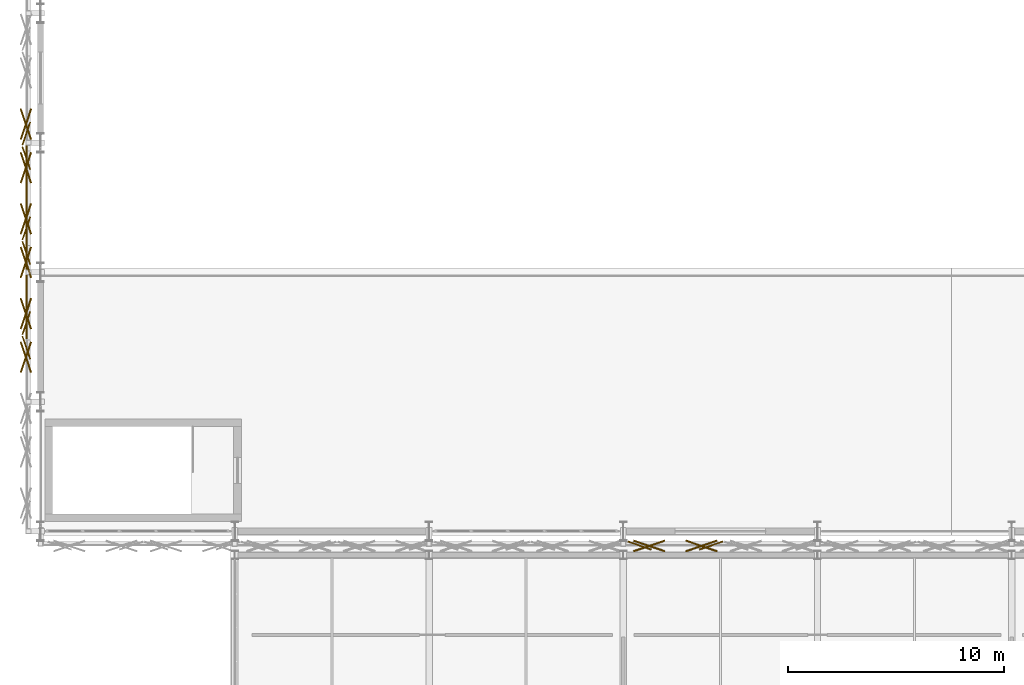
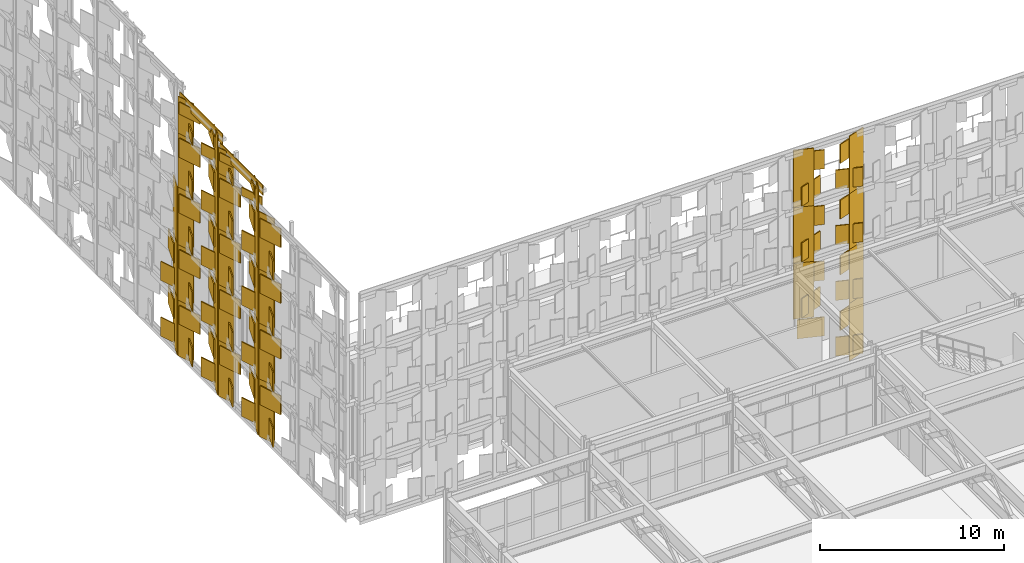
# One storey, part 179 of 210: 103 coverings.
"""IFC4 building model written with IfcOpenShell, lengths in metres."""

import ifcopenshell
import ifcopenshell.guid

model = None  # the IFC model being written
_history = None  # IfcOwnerHistory: only IFC2X3 demands one
_inside = {}  # id of a spatial element -> (the spatial element, [elements in it])
_under = {}  # id of a project, library or spatial element -> (it, [spatial elements below it])
_declared = {}  # id of a project -> (the project, [libraries it declares])
_typed = {}  # id of a type object -> (the type object, [elements of that type])
_made_of = {}  # id of a material, layer set ... -> (it, [elements and type objects made of it])


def new_model(schema):
    """Start an empty IFC model of exactly this schema.

    Asked for "IFC4X3", IfcOpenShell would pick the latest addendum, in which some entities
    have other attributes; the version numbers below select the first issue.
    IFC2X3 requires an IfcOwnerHistory on every rooted entity: one is made here for all.
    """
    global model, _history
    if schema == "IFC4X3":
        model = ifcopenshell.file(schema_version=(4, 3, 0, 0))
    else:
        model = ifcopenshell.file(schema=schema)
    _inside.clear()
    _under.clear()
    _declared.clear()
    _typed.clear()
    _made_of.clear()
    _history = None
    if model.schema == "IFC2X3":
        org = make("IfcOrganization", Name="unknown")
        user = make(
            "IfcPersonAndOrganization",
            ThePerson=make("IfcPerson", FamilyName="unknown"),
            TheOrganization=org,
        )
        app = make(
            "IfcApplication",
            ApplicationDeveloper=org,
            Version="unknown",
            ApplicationFullName="unknown",
            ApplicationIdentifier="unknown",
        )
        _history = make(
            "IfcOwnerHistory",
            OwningUser=user,
            OwningApplication=app,
            ChangeAction="ADDED",
            CreationDate=0,
        )
    return model


def make(cls, **values):
    """One entity of the class cls with the attributes given. An attribute that is None is left unset."""
    return model.create_entity(
        cls, **{name: value for name, value in values.items() if value is not None}
    )


def rooted(cls, **values):
    """An entity with a GlobalId (a new one), such as an element, a storey or a relation."""
    return make(cls, GlobalId=ifcopenshell.guid.new(), OwnerHistory=_history, **values)


def si_unit(unit_type, name, prefix=None):
    """IfcSIUnit, for example si_unit("LENGTHUNIT", "METRE", prefix="MILLI")."""
    return make("IfcSIUnit", UnitType=unit_type, Prefix=prefix, Name=name)


def assignment(units):
    """IfcUnitAssignment: the units of a project."""
    return None if units is None else make("IfcUnitAssignment", Units=units)


def point(xyz):
    """IfcCartesianPoint."""
    return None if xyz is None else make("IfcCartesianPoint", Coordinates=xyz)


def direction(xyz):
    """IfcDirection."""
    return None if xyz is None else make("IfcDirection", DirectionRatios=xyz)


def frame(location, z_axis=None, x_axis=None):
    """IfcAxis2Placement3D, a coordinate frame: its origin and axes. An axis left out is left unset."""
    return make(
        "IfcAxis2Placement3D",
        Location=point(location),
        Axis=direction(z_axis),
        RefDirection=direction(x_axis),
    )


def frame_2d(location, x_axis=None):
    """IfcAxis2Placement2D, a coordinate frame in the plane: its origin and x axis."""
    return make(
        "IfcAxis2Placement2D", Location=point(location), RefDirection=direction(x_axis)
    )


def origin():
    """The frame at (0, 0, 0) with its axes left unset."""
    return frame((0.0, 0.0, 0.0))


def origin_2d():
    """The frame at (0, 0) in the plane with its x axis left unset."""
    return frame_2d((0.0, 0.0))


def place(relative_to, where):
    """IfcLocalPlacement: puts the frame where relative to a parent placement (None: the world)."""
    return make(
        "IfcLocalPlacement", PlacementRelTo=relative_to, RelativePlacement=where
    )


def context(
    kind, dimensions, precision=None, world=None, true_north=None, identifier=None
):
    """IfcGeometricRepresentationContext, for example the 3D "Model" context."""
    return make(
        "IfcGeometricRepresentationContext",
        ContextIdentifier=identifier,
        ContextType=kind,
        CoordinateSpaceDimension=dimensions,
        Precision=precision,
        WorldCoordinateSystem=world,
        TrueNorth=true_north,
    )


def subcontext(parent, identifier, kind, view, scale=None):
    """IfcGeometricRepresentationSubContext, for example "Body" below "Model"."""
    return make(
        "IfcGeometricRepresentationSubContext",
        ContextIdentifier=identifier,
        ContextType=kind,
        ParentContext=parent,
        TargetScale=scale,
        TargetView=view,
    )


def project(units=None, contexts=None):
    """IfcProject with its units and contexts."""
    return rooted(
        "IfcProject",
        Name="project",
        RepresentationContexts=contexts,
        UnitsInContext=assignment(units),
    )


def spatial(cls, under=None, at=None, **own):
    """A site, building, storey or space (cls), placed at a placement, below another one or the project."""
    s = rooted(cls, ObjectPlacement=at, **own)
    if under is not None:
        _under.setdefault(under.id(), (under, []))[1].append(s)
    return s


def profile(cls, at=None, kind="AREA", **sizes):
    """A parametric profile (cls). Its sizes go by their IFC names, for example OverallWidth=200.0."""
    return make(cls, ProfileType=kind, Position=at, **sizes)


def rectangle(**sizes):
    """IfcRectangleProfileDef."""
    return profile("IfcRectangleProfileDef", **sizes)


def extrude(swept, where, along, depth):
    """IfcExtrudedAreaSolid: the profile swept, set in the frame where, extruded along a direction by depth."""
    return make(
        "IfcExtrudedAreaSolid",
        SweptArea=swept,
        Position=where,
        ExtrudedDirection=direction(along),
        Depth=depth,
    )


def shape(context_of_items, identifier, shape_type, items):
    """IfcShapeRepresentation: the items that make up one representation, for example the "Body"."""
    return make(
        "IfcShapeRepresentation",
        ContextOfItems=context_of_items,
        RepresentationIdentifier=identifier,
        RepresentationType=shape_type,
        Items=items,
    )


def material(Name=None, Category=None):
    """IfcMaterial."""
    return make("IfcMaterial", Name=Name, Category=Category)


def layer(
    of_material, thickness, ventilated=None, Name=None, Category=None, Priority=None
):
    """IfcMaterialLayer: one layer of a wall or slab, of a material (None: an air gap)."""
    return make(
        "IfcMaterialLayer",
        Material=of_material,
        LayerThickness=thickness,
        IsVentilated=ventilated,
        Name=Name,
        Category=Category,
        Priority=Priority,
    )


def layer_set(layers, Name=None):
    """IfcMaterialLayerSet."""
    return make("IfcMaterialLayerSet", MaterialLayers=layers, LayerSetName=Name)


def made_of(thing, what):
    """Note that an element or type object is made of a material, layer set ...; save() writes the relation."""
    if what is not None:
        _made_of.setdefault(what.id(), (what, []))[1].append(thing)
    return thing


def type_object(cls, material=None, **own):
    """A type object (cls), such as IfcWallType, which elements share."""
    return made_of(rooted(cls, **own), material)


def element(
    cls,
    number,
    at=None,
    inside=None,
    cuts=None,
    type_object=None,
    material=None,
    context=None,
    identifier="Body",
    shape_type=None,
    held_by="IfcProductDefinitionShape",
    body=None,
    shapes=None,
    **own,
):
    """One element of the class cls, such as IfcWall. Its Tag is "e" and its number.

    at: its placement. inside: the storey or other place that contains it. cuts: it is an
    opening in that element (IfcRelVoidsElement). A single representation is given by context,
    identifier, shape_type and body (its items); several are given by shapes. held_by: the class
    of the entity that holds the representations. save() writes the other relations.
    """
    e = rooted(cls, Tag="e%d" % number, ObjectPlacement=at, **own)
    if body is not None:
        shapes = [shape(context, identifier, shape_type, body)]
    if shapes is not None:
        e.Representation = make(held_by, Representations=shapes)
    if inside is not None:
        _inside.setdefault(inside.id(), (inside, []))[1].append(e)
    if cuts is not None:
        rooted(
            "IfcRelVoidsElement", RelatingBuildingElement=cuts, RelatedOpeningElement=e
        )
    if type_object is not None:
        _typed.setdefault(type_object.id(), (type_object, []))[1].append(e)
    return made_of(e, material)


def aggregate(whole, parts):
    """IfcRelAggregates: a whole, such as a stair, and the parts it consists of."""
    return rooted("IfcRelAggregates", RelatingObject=whole, RelatedObjects=parts)


def save(model, path):
    """Write the relations noted so far, then the file.

    IfcRelAggregates (storeys below a building ...), IfcRelContainedInSpatialStructure (elements
    in a storey), IfcRelDefinesByType, IfcRelAssociatesMaterial and IfcRelDeclares: one each for
    every whole, place, type object, material and project.
    """
    for whole, parts in _under.values():
        aggregate(whole, parts)
    for where, things in _inside.values():
        rooted(
            "IfcRelContainedInSpatialStructure",
            RelatedElements=things,
            RelatingStructure=where,
        )
    for kind, things in _typed.values():
        rooted("IfcRelDefinesByType", RelatedObjects=things, RelatingType=kind)
    for what, things in _made_of.values():
        rooted("IfcRelAssociatesMaterial", RelatedObjects=things, RelatingMaterial=what)
    for by, libraries in _declared.values():
        rooted("IfcRelDeclares", RelatingContext=by, RelatedDefinitions=libraries)
    model.write(path)


model = new_model("IFC4")

# Units and contexts
model_context = context("Model", 3, precision=1e-05, world=origin(), true_north=direction((0.0, 1.0)))
body_context = subcontext(model_context, "Body", "Model", "MODEL_VIEW")
ifc_project = project(units=[si_unit("LENGTHUNIT", "METRE"), si_unit("AREAUNIT", "SQUARE_METRE"), si_unit("VOLUMEUNIT", "CUBIC_METRE"), si_unit("PLANEANGLEUNIT", "RADIAN"), si_unit("MASSUNIT", "GRAM", prefix="KILO")], contexts=[model_context])

# Site, building, storey
site_placement = place(None, origin())
site = spatial("IfcSite", under=ifc_project, at=site_placement, CompositionType="ELEMENT")
building_placement = place(site_placement, origin())
building = spatial("IfcBuilding", under=site, at=building_placement, Name="Kaldris Quays Convention Centre", CompositionType="ELEMENT")
storey_placement = place(building_placement, frame((0.0, 0.0, 6.0)))
storey = spatial("IfcBuildingStorey", under=building, at=storey_placement, Name="L01", CompositionType="ELEMENT", Elevation=6.0)

# Coverings
ifc_material = material(Name="Alabaster white star-pierced anodized aluminium panel", Category="aluminium")
ifc_layer = layer(ifc_material, 0.044921875)
ifc_layer_set = layer_set([ifc_layer], Name="Alabaster white star-pierced anodized aluminium panel")
covering_type = type_object("IfcCoveringType", Name="STAR PIERCED WHITE FOLDED SCREEN CL01", PredefinedType="CLADDING", material=ifc_layer_set)
covering_1_placement = place(storey_placement, frame((19.340087890625, 64.50830078125, -2.2099609375), z_axis=(0.0, 0.0, 1.0), x_axis=(-0.325568154457, 0.945518575599, 0.0)))
element("IfcCovering", 1, at=covering_1_placement, inside=storey, type_object=covering_type, Name="V1W Folded White Screen Stile 31", PredefinedType="CLADDING", context=body_context, shape_type="SweptSolid", body=[
    extrude(rectangle(XDim=1.114013671875, YDim=0.054931640625, at=origin_2d()), origin(), (0.0, 0.0, 1.0), 3.820068359375),
])
for number, where, z_axis, x_axis, name in (
    (2, (19.320068359375, 64.0693359375, -1.92822265625), (0.0, 0.0, 1.0), (0.325568154457, 0.945518575599, 0.0), "V1W Carved Star Corner Facet 34"),
    (3, (19.320068359375, 64.0693359375, 0.06982421875), (0.0, 0.0, 1.0), (-0.325568154457, 0.945518575599, 0.0), "V1W Carved Star Corner Facet 35"),
):
    element("IfcCovering", number, at=place(storey_placement, frame(where, z_axis=z_axis, x_axis=x_axis)), inside=storey, type_object=covering_type, Name=name, PredefinedType="CLADDING", context=body_context, shape_type="SweptSolid", body=[
        extrude(rectangle(XDim=1.491943359375, YDim=0.06494140625, at=origin_2d()), origin(), (0.0, 0.0, 1.0), 1.258056640625),
    ])
covering_2_placement = place(storey_placement, frame((19.340087890625, 64.50830078125, 1.48974609375), z_axis=(0.0, 0.0, 1.0), x_axis=(-0.325568154457, 0.945518575599, 0.0)))
element("IfcCovering", 4, at=covering_2_placement, inside=storey, type_object=covering_type, Name="V1W Folded White Screen Stile 37", PredefinedType="CLADDING", context=body_context, shape_type="SweptSolid", body=[
    extrude(rectangle(XDim=1.114013671875, YDim=0.054931640625, at=origin_2d()), origin(), (0.0, 0.0, 1.0), 3.820068359375),
])
for number, where, z_axis, x_axis, name in (
    (5, (19.320068359375, 64.0693359375, 1.77197265625), (0.0, 0.0, 1.0), (0.325568154457, 0.945518575599, 0.0), "V1W Carved Star Corner Facet 40"),
    (6, (19.320068359375, 64.0693359375, 3.77001953125), (0.0, 0.0, 1.0), (-0.325568154457, 0.945518575599, 0.0), "V1W Carved Star Corner Facet 41"),
):
    element("IfcCovering", number, at=place(storey_placement, frame(where, z_axis=z_axis, x_axis=x_axis)), inside=storey, type_object=covering_type, Name=name, PredefinedType="CLADDING", context=body_context, shape_type="SweptSolid", body=[
        extrude(rectangle(XDim=1.491943359375, YDim=0.06494140625, at=origin_2d()), origin(), (0.0, 0.0, 1.0), 1.258056640625),
    ])
covering_3_placement = place(storey_placement, frame((19.340087890625, 64.50830078125, 5.18994140625), z_axis=(0.0, 0.0, 1.0), x_axis=(-0.325568154457, 0.945518575599, 0.0)))
element("IfcCovering", 7, at=covering_3_placement, inside=storey, type_object=covering_type, Name="V1W Folded White Screen Stile 43", PredefinedType="CLADDING", context=body_context, shape_type="SweptSolid", body=[
    extrude(rectangle(XDim=1.114013671875, YDim=0.054931640625, at=origin_2d()), origin(), (0.0, 0.0, 1.0), 3.820068359375),
])
for number, where, z_axis, x_axis, name in (
    (8, (19.320068359375, 64.0693359375, 5.47216796875), (0.0, 0.0, 1.0), (0.325568154457, 0.945518575599, 0.0), "V1W Carved Star Corner Facet 46"),
    (9, (19.320068359375, 64.0693359375, 7.47021484375), (0.0, 0.0, 1.0), (-0.325568154457, 0.945518575599, 0.0), "V1W Carved Star Corner Facet 47"),
):
    element("IfcCovering", number, at=place(storey_placement, frame(where, z_axis=z_axis, x_axis=x_axis)), inside=storey, type_object=covering_type, Name=name, PredefinedType="CLADDING", context=body_context, shape_type="SweptSolid", body=[
        extrude(rectangle(XDim=1.491943359375, YDim=0.06494140625, at=origin_2d()), origin(), (0.0, 0.0, 1.0), 1.258056640625),
    ])
covering_4_placement = place(storey_placement, frame((19.340087890625, 64.50830078125, 8.89013671875), z_axis=(0.0, 0.0, 1.0), x_axis=(-0.325568154457, 0.945518575599, 0.0)))
element("IfcCovering", 10, at=covering_4_placement, inside=storey, type_object=covering_type, Name="V1W Folded White Screen Stile 49", PredefinedType="CLADDING", context=body_context, shape_type="SweptSolid", body=[
    extrude(rectangle(XDim=1.114013671875, YDim=0.054931640625, at=origin_2d()), origin(), (0.0, 0.0, 1.0), 3.820068359375),
])
for number, where, z_axis, x_axis, name in (
    (11, (19.320068359375, 64.0693359375, 9.171875), (0.0, 0.0, 1.0), (0.325568154457, 0.945518575599, 0.0), "V1W Carved Star Corner Facet 52"),
    (12, (19.320068359375, 64.0693359375, 11.169921875), (0.0, 0.0, 1.0), (-0.325568154457, 0.945518575599, 0.0), "V1W Carved Star Corner Facet 53"),
):
    element("IfcCovering", number, at=place(storey_placement, frame(where, z_axis=z_axis, x_axis=x_axis)), inside=storey, type_object=covering_type, Name=name, PredefinedType="CLADDING", context=body_context, shape_type="SweptSolid", body=[
        extrude(rectangle(XDim=1.491943359375, YDim=0.06494140625, at=origin_2d()), origin(), (0.0, 0.0, 1.0), 1.258056640625),
    ])
covering_5_placement = place(storey_placement, frame((19.35009765625, 67.273681640625, 13.74609375), z_axis=(0.0, 0.0, 1.0), x_axis=(0.0, 1.0, 0.0)))
element("IfcCovering", 13, at=covering_5_placement, inside=storey, type_object=covering_type, Name="V1W Gable White Screen Cap Band 54", PredefinedType="CLADDING", context=body_context, shape_type="SweptSolid", body=[
    extrude(rectangle(XDim=4.68896484375, YDim=0.054931640625, at=origin_2d()), origin(), (0.0, 0.0, 1.0), 0.679931640625),
])
for number, where, z_axis, x_axis, name in (
    (14, (19.340087890625, 65.649658203125, -2.2099609375), (0.0, 0.0, 1.0), (0.325568154457, 0.945518575599, 0.0), "V1W Folded White Screen Stile 55"),
    (15, (19.340087890625, 68.897705078125, -2.2099609375), (0.0, 0.0, 1.0), (-0.325568154457, 0.945518575599, 0.0), "V1W Folded White Screen Stile 56"),
):
    element("IfcCovering", number, at=place(storey_placement, frame(where, z_axis=z_axis, x_axis=x_axis)), inside=storey, type_object=covering_type, Name=name, PredefinedType="CLADDING", context=body_context, shape_type="SweptSolid", body=[
        extrude(rectangle(XDim=1.114013671875, YDim=0.054931640625, at=origin_2d()), origin(), (0.0, 0.0, 1.0), 3.820068359375),
    ])
for number, where, z_axis, x_axis, name in (
    (16, (19.320068359375, 66.08837890625, -1.92822265625), (0.0, 0.0, 1.0), (-0.325568154457, 0.945518575599, 0.0), "V1W Carved Star Corner Facet 57"),
    (17, (19.320068359375, 66.08837890625, 0.06982421875), (0.0, 0.0, 1.0), (0.325568154457, 0.945518575599, 0.0), "V1W Carved Star Corner Facet 58"),
    (18, (19.320068359375, 68.458740234375, -1.92822265625), (0.0, 0.0, 1.0), (0.325568154457, 0.945518575599, 0.0), "V1W Carved Star Corner Facet 59"),
    (19, (19.320068359375, 68.458740234375, 0.06982421875), (0.0, 0.0, 1.0), (-0.325568154457, 0.945518575599, 0.0), "V1W Carved Star Corner Facet 60"),
):
    element("IfcCovering", number, at=place(storey_placement, frame(where, z_axis=z_axis, x_axis=x_axis)), inside=storey, type_object=covering_type, Name=name, PredefinedType="CLADDING", context=body_context, shape_type="SweptSolid", body=[
        extrude(rectangle(XDim=1.491943359375, YDim=0.06494140625, at=origin_2d()), origin(), (0.0, 0.0, 1.0), 1.258056640625),
    ])
for number, where, z_axis, x_axis, name in (
    (20, (19.340087890625, 65.649658203125, 1.48974609375), (0.0, 0.0, 1.0), (0.325568154457, 0.945518575599, 0.0), "V1W Folded White Screen Stile 61"),
    (21, (19.340087890625, 68.897705078125, 1.48974609375), (0.0, 0.0, 1.0), (-0.325568154457, 0.945518575599, 0.0), "V1W Folded White Screen Stile 62"),
):
    element("IfcCovering", number, at=place(storey_placement, frame(where, z_axis=z_axis, x_axis=x_axis)), inside=storey, type_object=covering_type, Name=name, PredefinedType="CLADDING", context=body_context, shape_type="SweptSolid", body=[
        extrude(rectangle(XDim=1.114013671875, YDim=0.054931640625, at=origin_2d()), origin(), (0.0, 0.0, 1.0), 3.820068359375),
    ])
for number, where, z_axis, x_axis, name in (
    (22, (19.320068359375, 66.08837890625, 1.77197265625), (0.0, 0.0, 1.0), (-0.325568154457, 0.945518575599, 0.0), "V1W Carved Star Corner Facet 63"),
    (23, (19.320068359375, 66.08837890625, 3.77001953125), (0.0, 0.0, 1.0), (0.325568154457, 0.945518575599, 0.0), "V1W Carved Star Corner Facet 64"),
    (24, (19.320068359375, 68.458740234375, 1.77197265625), (0.0, 0.0, 1.0), (0.325568154457, 0.945518575599, 0.0), "V1W Carved Star Corner Facet 65"),
    (25, (19.320068359375, 68.458740234375, 3.77001953125), (0.0, 0.0, 1.0), (-0.325568154457, 0.945518575599, 0.0), "V1W Carved Star Corner Facet 66"),
):
    element("IfcCovering", number, at=place(storey_placement, frame(where, z_axis=z_axis, x_axis=x_axis)), inside=storey, type_object=covering_type, Name=name, PredefinedType="CLADDING", context=body_context, shape_type="SweptSolid", body=[
        extrude(rectangle(XDim=1.491943359375, YDim=0.06494140625, at=origin_2d()), origin(), (0.0, 0.0, 1.0), 1.258056640625),
    ])
for number, where, z_axis, x_axis, name in (
    (26, (19.340087890625, 65.649658203125, 5.18994140625), (0.0, 0.0, 1.0), (0.325568154457, 0.945518575599, 0.0), "V1W Folded White Screen Stile 67"),
    (27, (19.340087890625, 68.897705078125, 5.18994140625), (0.0, 0.0, 1.0), (-0.325568154457, 0.945518575599, 0.0), "V1W Folded White Screen Stile 68"),
):
    element("IfcCovering", number, at=place(storey_placement, frame(where, z_axis=z_axis, x_axis=x_axis)), inside=storey, type_object=covering_type, Name=name, PredefinedType="CLADDING", context=body_context, shape_type="SweptSolid", body=[
        extrude(rectangle(XDim=1.114013671875, YDim=0.054931640625, at=origin_2d()), origin(), (0.0, 0.0, 1.0), 3.820068359375),
    ])
for number, where, z_axis, x_axis, name in (
    (28, (19.320068359375, 66.08837890625, 5.47216796875), (0.0, 0.0, 1.0), (-0.325568154457, 0.945518575599, 0.0), "V1W Carved Star Corner Facet 69"),
    (29, (19.320068359375, 66.08837890625, 7.47021484375), (0.0, 0.0, 1.0), (0.325568154457, 0.945518575599, 0.0), "V1W Carved Star Corner Facet 70"),
    (30, (19.320068359375, 68.458740234375, 5.47216796875), (0.0, 0.0, 1.0), (0.325568154457, 0.945518575599, 0.0), "V1W Carved Star Corner Facet 71"),
    (31, (19.320068359375, 68.458740234375, 7.47021484375), (0.0, 0.0, 1.0), (-0.325568154457, 0.945518575599, 0.0), "V1W Carved Star Corner Facet 72"),
):
    element("IfcCovering", number, at=place(storey_placement, frame(where, z_axis=z_axis, x_axis=x_axis)), inside=storey, type_object=covering_type, Name=name, PredefinedType="CLADDING", context=body_context, shape_type="SweptSolid", body=[
        extrude(rectangle(XDim=1.491943359375, YDim=0.06494140625, at=origin_2d()), origin(), (0.0, 0.0, 1.0), 1.258056640625),
    ])
for number, where, z_axis, x_axis, name in (
    (32, (19.340087890625, 65.649658203125, 8.89013671875), (0.0, 0.0, 1.0), (0.325568154457, 0.945518575599, 0.0), "V1W Folded White Screen Stile 73"),
    (33, (19.340087890625, 68.897705078125, 8.89013671875), (0.0, 0.0, 1.0), (-0.325568154457, 0.945518575599, 0.0), "V1W Folded White Screen Stile 74"),
):
    element("IfcCovering", number, at=place(storey_placement, frame(where, z_axis=z_axis, x_axis=x_axis)), inside=storey, type_object=covering_type, Name=name, PredefinedType="CLADDING", context=body_context, shape_type="SweptSolid", body=[
        extrude(rectangle(XDim=1.114013671875, YDim=0.054931640625, at=origin_2d()), origin(), (0.0, 0.0, 1.0), 3.820068359375),
    ])
for number, where, z_axis, x_axis, name in (
    (34, (19.320068359375, 66.08837890625, 9.171875), (0.0, 0.0, 1.0), (-0.325568154457, 0.945518575599, 0.0), "V1W Carved Star Corner Facet 75"),
    (35, (19.320068359375, 66.08837890625, 11.169921875), (0.0, 0.0, 1.0), (0.325568154457, 0.945518575599, 0.0), "V1W Carved Star Corner Facet 76"),
    (36, (19.320068359375, 68.458740234375, 9.171875), (0.0, 0.0, 1.0), (0.325568154457, 0.945518575599, 0.0), "V1W Carved Star Corner Facet 77"),
    (37, (19.320068359375, 68.458740234375, 11.169921875), (0.0, 0.0, 1.0), (-0.325568154457, 0.945518575599, 0.0), "V1W Carved Star Corner Facet 78"),
):
    element("IfcCovering", number, at=place(storey_placement, frame(where, z_axis=z_axis, x_axis=x_axis)), inside=storey, type_object=covering_type, Name=name, PredefinedType="CLADDING", context=body_context, shape_type="SweptSolid", body=[
        extrude(rectangle(XDim=1.491943359375, YDim=0.06494140625, at=origin_2d()), origin(), (0.0, 0.0, 1.0), 1.258056640625),
    ])
for number, where, z_axis, x_axis, name in (
    (38, (19.340087890625, 65.649658203125, 12.590087890625), (0.0, 0.0, 1.0), (0.325568154457, 0.945518575599, 0.0), "V1W Folded White Screen Stile 79"),
    (39, (19.340087890625, 68.897705078125, 12.590087890625), (0.0, 0.0, 1.0), (-0.325568154457, 0.945518575599, 0.0), "V1W Folded White Screen Stile 80"),
):
    element("IfcCovering", number, at=place(storey_placement, frame(where, z_axis=z_axis, x_axis=x_axis)), inside=storey, type_object=covering_type, Name=name, PredefinedType="CLADDING", context=body_context, shape_type="SweptSolid", body=[
        extrude(rectangle(XDim=1.114013671875, YDim=0.054931640625, at=origin_2d()), origin(), (0.0, 0.0, 1.0), 1.7060546875),
    ])
for number, where, z_axis, x_axis, name in (
    (40, (19.320068359375, 66.08837890625, 12.745361328125), (0.0, 0.0, 1.0), (-0.325568154457, 0.945518575599, 0.0), "V1W Carved Star Corner Facet 81"),
    (41, (19.320068359375, 66.08837890625, 13.6015625), (0.0, 0.0, 1.0), (0.325568154457, 0.945518575599, 0.0), "V1W Carved Star Corner Facet 82"),
    (42, (19.320068359375, 68.458740234375, 12.745361328125), (0.0, 0.0, 1.0), (0.325568154457, 0.945518575599, 0.0), "V1W Carved Star Corner Facet 83"),
    (43, (19.320068359375, 68.458740234375, 13.6015625), (0.0, 0.0, 1.0), (-0.325568154457, 0.945518575599, 0.0), "V1W Carved Star Corner Facet 84"),
):
    element("IfcCovering", number, at=place(storey_placement, frame(where, z_axis=z_axis, x_axis=x_axis)), inside=storey, type_object=covering_type, Name=name, PredefinedType="CLADDING", context=body_context, shape_type="SweptSolid", body=[
        extrude(rectangle(XDim=1.491943359375, YDim=0.06494140625, at=origin_2d()), origin(), (0.0, 0.0, 1.0), 0.5390625),
    ])
covering_6_placement = place(storey_placement, frame((19.35009765625, 71.6630859375, 14.47802734375), z_axis=(0.0, 0.0, 1.0), x_axis=(0.0, 1.0, 0.0)))
element("IfcCovering", 44, at=covering_6_placement, inside=storey, type_object=covering_type, Name="V1W Gable White Screen Cap Band 85", PredefinedType="CLADDING", context=body_context, shape_type="SweptSolid", body=[
    extrude(rectangle(XDim=4.68896484375, YDim=0.054931640625, at=origin_2d()), origin(), (0.0, 0.0, 1.0), 0.679931640625),
])
for number, where, z_axis, x_axis, name in (
    (45, (19.340087890625, 70.0390625, -2.2099609375), (0.0, 0.0, 1.0), (0.325568154457, 0.945518575599, 0.0), "V1W Folded White Screen Stile 86"),
    (46, (19.340087890625, 73.287353515625, -2.2099609375), (0.0, 0.0, 1.0), (-0.325568154457, 0.945518575599, 0.0), "V1W Folded White Screen Stile 87"),
):
    element("IfcCovering", number, at=place(storey_placement, frame(where, z_axis=z_axis, x_axis=x_axis)), inside=storey, type_object=covering_type, Name=name, PredefinedType="CLADDING", context=body_context, shape_type="SweptSolid", body=[
        extrude(rectangle(XDim=1.114013671875, YDim=0.054931640625, at=origin_2d()), origin(), (0.0, 0.0, 1.0), 3.820068359375),
    ])
for number, where, z_axis, x_axis, name in (
    (47, (19.320068359375, 70.47802734375, -1.92822265625), (0.0, 0.0, 1.0), (-0.325568154457, 0.945518575599, 0.0), "V1W Carved Star Corner Facet 88"),
    (48, (19.320068359375, 70.47802734375, 0.06982421875), (0.0, 0.0, 1.0), (0.325568154457, 0.945518575599, 0.0), "V1W Carved Star Corner Facet 89"),
    (49, (19.320068359375, 72.848388671875, -1.92822265625), (0.0, 0.0, 1.0), (0.325568154457, 0.945518575599, 0.0), "V1W Carved Star Corner Facet 90"),
    (50, (19.320068359375, 72.848388671875, 0.06982421875), (0.0, 0.0, 1.0), (-0.325568154457, 0.945518575599, 0.0), "V1W Carved Star Corner Facet 91"),
):
    element("IfcCovering", number, at=place(storey_placement, frame(where, z_axis=z_axis, x_axis=x_axis)), inside=storey, type_object=covering_type, Name=name, PredefinedType="CLADDING", context=body_context, shape_type="SweptSolid", body=[
        extrude(rectangle(XDim=1.491943359375, YDim=0.06494140625, at=origin_2d()), origin(), (0.0, 0.0, 1.0), 1.258056640625),
    ])
for number, where, z_axis, x_axis, name in (
    (51, (19.340087890625, 70.0390625, 1.48974609375), (0.0, 0.0, 1.0), (0.325568154457, 0.945518575599, 0.0), "V1W Folded White Screen Stile 92"),
    (52, (19.340087890625, 73.287353515625, 1.48974609375), (0.0, 0.0, 1.0), (-0.325568154457, 0.945518575599, 0.0), "V1W Folded White Screen Stile 93"),
):
    element("IfcCovering", number, at=place(storey_placement, frame(where, z_axis=z_axis, x_axis=x_axis)), inside=storey, type_object=covering_type, Name=name, PredefinedType="CLADDING", context=body_context, shape_type="SweptSolid", body=[
        extrude(rectangle(XDim=1.114013671875, YDim=0.054931640625, at=origin_2d()), origin(), (0.0, 0.0, 1.0), 3.820068359375),
    ])
for number, where, z_axis, x_axis, name in (
    (53, (19.320068359375, 70.47802734375, 1.77197265625), (0.0, 0.0, 1.0), (-0.325568154457, 0.945518575599, 0.0), "V1W Carved Star Corner Facet 94"),
    (54, (19.320068359375, 70.47802734375, 3.77001953125), (0.0, 0.0, 1.0), (0.325568154457, 0.945518575599, 0.0), "V1W Carved Star Corner Facet 95"),
    (55, (19.320068359375, 72.848388671875, 1.77197265625), (0.0, 0.0, 1.0), (0.325568154457, 0.945518575599, 0.0), "V1W Carved Star Corner Facet 96"),
    (56, (19.320068359375, 72.848388671875, 3.77001953125), (0.0, 0.0, 1.0), (-0.325568154457, 0.945518575599, 0.0), "V1W Carved Star Corner Facet 97"),
):
    element("IfcCovering", number, at=place(storey_placement, frame(where, z_axis=z_axis, x_axis=x_axis)), inside=storey, type_object=covering_type, Name=name, PredefinedType="CLADDING", context=body_context, shape_type="SweptSolid", body=[
        extrude(rectangle(XDim=1.491943359375, YDim=0.06494140625, at=origin_2d()), origin(), (0.0, 0.0, 1.0), 1.258056640625),
    ])
for number, where, z_axis, x_axis, name in (
    (57, (19.340087890625, 70.0390625, 5.18994140625), (0.0, 0.0, 1.0), (0.325568154457, 0.945518575599, 0.0), "V1W Folded White Screen Stile 98"),
    (58, (19.340087890625, 73.287353515625, 5.18994140625), (0.0, 0.0, 1.0), (-0.325568154457, 0.945518575599, 0.0), "V1W Folded White Screen Stile 99"),
):
    element("IfcCovering", number, at=place(storey_placement, frame(where, z_axis=z_axis, x_axis=x_axis)), inside=storey, type_object=covering_type, Name=name, PredefinedType="CLADDING", context=body_context, shape_type="SweptSolid", body=[
        extrude(rectangle(XDim=1.114013671875, YDim=0.054931640625, at=origin_2d()), origin(), (0.0, 0.0, 1.0), 3.820068359375),
    ])
for number, where, z_axis, x_axis, name in (
    (59, (19.320068359375, 70.47802734375, 5.47216796875), (0.0, 0.0, 1.0), (-0.325568154457, 0.945518575599, 0.0), "V1W Carved Star Corner Facet 100"),
    (60, (19.320068359375, 70.47802734375, 7.47021484375), (0.0, 0.0, 1.0), (0.325568154457, 0.945518575599, 0.0), "V1W Carved Star Corner Facet 101"),
    (61, (19.320068359375, 72.848388671875, 5.47216796875), (0.0, 0.0, 1.0), (0.325568154457, 0.945518575599, 0.0), "V1W Carved Star Corner Facet 102"),
    (62, (19.320068359375, 72.848388671875, 7.47021484375), (0.0, 0.0, 1.0), (-0.325568154457, 0.945518575599, 0.0), "V1W Carved Star Corner Facet 103"),
):
    element("IfcCovering", number, at=place(storey_placement, frame(where, z_axis=z_axis, x_axis=x_axis)), inside=storey, type_object=covering_type, Name=name, PredefinedType="CLADDING", context=body_context, shape_type="SweptSolid", body=[
        extrude(rectangle(XDim=1.491943359375, YDim=0.06494140625, at=origin_2d()), origin(), (0.0, 0.0, 1.0), 1.258056640625),
    ])
for number, where, z_axis, x_axis, name in (
    (63, (19.340087890625, 70.0390625, 8.89013671875), (0.0, 0.0, 1.0), (0.325568154457, 0.945518575599, 0.0), "V1W Folded White Screen Stile 104"),
    (64, (19.340087890625, 73.287353515625, 8.89013671875), (0.0, 0.0, 1.0), (-0.325568154457, 0.945518575599, 0.0), "V1W Folded White Screen Stile 105"),
):
    element("IfcCovering", number, at=place(storey_placement, frame(where, z_axis=z_axis, x_axis=x_axis)), inside=storey, type_object=covering_type, Name=name, PredefinedType="CLADDING", context=body_context, shape_type="SweptSolid", body=[
        extrude(rectangle(XDim=1.114013671875, YDim=0.054931640625, at=origin_2d()), origin(), (0.0, 0.0, 1.0), 3.820068359375),
    ])
for number, where, z_axis, x_axis, name in (
    (65, (19.320068359375, 70.47802734375, 9.171875), (0.0, 0.0, 1.0), (-0.325568154457, 0.945518575599, 0.0), "V1W Carved Star Corner Facet 106"),
    (66, (19.320068359375, 70.47802734375, 11.169921875), (0.0, 0.0, 1.0), (0.325568154457, 0.945518575599, 0.0), "V1W Carved Star Corner Facet 107"),
    (67, (19.320068359375, 72.848388671875, 9.171875), (0.0, 0.0, 1.0), (0.325568154457, 0.945518575599, 0.0), "V1W Carved Star Corner Facet 108"),
    (68, (19.320068359375, 72.848388671875, 11.169921875), (0.0, 0.0, 1.0), (-0.325568154457, 0.945518575599, 0.0), "V1W Carved Star Corner Facet 109"),
):
    element("IfcCovering", number, at=place(storey_placement, frame(where, z_axis=z_axis, x_axis=x_axis)), inside=storey, type_object=covering_type, Name=name, PredefinedType="CLADDING", context=body_context, shape_type="SweptSolid", body=[
        extrude(rectangle(XDim=1.491943359375, YDim=0.06494140625, at=origin_2d()), origin(), (0.0, 0.0, 1.0), 1.258056640625),
    ])
for number, where, z_axis, x_axis, name in (
    (69, (19.340087890625, 70.0390625, 12.590087890625), (0.0, 0.0, 1.0), (0.325568154457, 0.945518575599, 0.0), "V1W Folded White Screen Stile 110"),
    (70, (19.340087890625, 73.287353515625, 12.590087890625), (0.0, 0.0, 1.0), (-0.325568154457, 0.945518575599, 0.0), "V1W Folded White Screen Stile 111"),
):
    element("IfcCovering", number, at=place(storey_placement, frame(where, z_axis=z_axis, x_axis=x_axis)), inside=storey, type_object=covering_type, Name=name, PredefinedType="CLADDING", context=body_context, shape_type="SweptSolid", body=[
        extrude(rectangle(XDim=1.114013671875, YDim=0.054931640625, at=origin_2d()), origin(), (0.0, 0.0, 1.0), 2.43798828125),
    ])
for number, where, z_axis, x_axis, name in (
    (71, (19.320068359375, 70.47802734375, 12.7890625), (0.0, 0.0, 1.0), (-0.325568154457, 0.945518575599, 0.0), "V1W Carved Star Corner Facet 112"),
    (72, (19.320068359375, 70.47802734375, 14.040771484375), (0.0, 0.0, 1.0), (0.325568154457, 0.945518575599, 0.0), "V1W Carved Star Corner Facet 113"),
    (73, (19.320068359375, 72.848388671875, 12.7890625), (0.0, 0.0, 1.0), (0.325568154457, 0.945518575599, 0.0), "V1W Carved Star Corner Facet 114"),
    (74, (19.320068359375, 72.848388671875, 14.040771484375), (0.0, 0.0, 1.0), (-0.325568154457, 0.945518575599, 0.0), "V1W Carved Star Corner Facet 115"),
):
    element("IfcCovering", number, at=place(storey_placement, frame(where, z_axis=z_axis, x_axis=x_axis)), inside=storey, type_object=covering_type, Name=name, PredefinedType="CLADDING", context=body_context, shape_type="SweptSolid", body=[
        extrude(rectangle(XDim=1.491943359375, YDim=0.06494140625, at=origin_2d()), origin(), (0.0, 0.0, 1.0), 0.7880859375),
    ])
covering_7_placement = place(storey_placement, frame((19.340087890625, 74.428466796875, -2.2099609375), z_axis=(0.0, 0.0, 1.0), x_axis=(0.325568154457, 0.945518575599, 0.0)))
element("IfcCovering", 75, at=covering_7_placement, inside=storey, type_object=covering_type, Name="V1W Folded White Screen Stile 117", PredefinedType="CLADDING", context=body_context, shape_type="SweptSolid", body=[
    extrude(rectangle(XDim=1.114013671875, YDim=0.054931640625, at=origin_2d()), origin(), (0.0, 0.0, 1.0), 3.820068359375),
])
for number, where, z_axis, x_axis, name in (
    (76, (19.320068359375, 74.867431640625, -1.92822265625), (0.0, 0.0, 1.0), (-0.325568154457, 0.945518575599, 0.0), "V1W Carved Star Corner Facet 119"),
    (77, (19.320068359375, 74.867431640625, 0.06982421875), (0.0, 0.0, 1.0), (0.325568154457, 0.945518575599, 0.0), "V1W Carved Star Corner Facet 120"),
):
    element("IfcCovering", number, at=place(storey_placement, frame(where, z_axis=z_axis, x_axis=x_axis)), inside=storey, type_object=covering_type, Name=name, PredefinedType="CLADDING", context=body_context, shape_type="SweptSolid", body=[
        extrude(rectangle(XDim=1.491943359375, YDim=0.06494140625, at=origin_2d()), origin(), (0.0, 0.0, 1.0), 1.258056640625),
    ])
covering_8_placement = place(storey_placement, frame((19.340087890625, 74.428466796875, 1.48974609375), z_axis=(0.0, 0.0, 1.0), x_axis=(0.325568154457, 0.945518575599, 0.0)))
element("IfcCovering", 78, at=covering_8_placement, inside=storey, type_object=covering_type, Name="V1W Folded White Screen Stile 123", PredefinedType="CLADDING", context=body_context, shape_type="SweptSolid", body=[
    extrude(rectangle(XDim=1.114013671875, YDim=0.054931640625, at=origin_2d()), origin(), (0.0, 0.0, 1.0), 3.820068359375),
])
for number, where, z_axis, x_axis, name in (
    (79, (19.320068359375, 74.867431640625, 1.77197265625), (0.0, 0.0, 1.0), (-0.325568154457, 0.945518575599, 0.0), "V1W Carved Star Corner Facet 125"),
    (80, (19.320068359375, 74.867431640625, 3.77001953125), (0.0, 0.0, 1.0), (0.325568154457, 0.945518575599, 0.0), "V1W Carved Star Corner Facet 126"),
):
    element("IfcCovering", number, at=place(storey_placement, frame(where, z_axis=z_axis, x_axis=x_axis)), inside=storey, type_object=covering_type, Name=name, PredefinedType="CLADDING", context=body_context, shape_type="SweptSolid", body=[
        extrude(rectangle(XDim=1.491943359375, YDim=0.06494140625, at=origin_2d()), origin(), (0.0, 0.0, 1.0), 1.258056640625),
    ])
covering_9_placement = place(storey_placement, frame((19.340087890625, 74.428466796875, 5.18994140625), z_axis=(0.0, 0.0, 1.0), x_axis=(0.325568154457, 0.945518575599, 0.0)))
element("IfcCovering", 81, at=covering_9_placement, inside=storey, type_object=covering_type, Name="V1W Folded White Screen Stile 129", PredefinedType="CLADDING", context=body_context, shape_type="SweptSolid", body=[
    extrude(rectangle(XDim=1.114013671875, YDim=0.054931640625, at=origin_2d()), origin(), (0.0, 0.0, 1.0), 3.820068359375),
])
covering_10_placement = place(storey_placement, frame((51.06787109375, 55.340087890625, -2.2099609375), z_axis=(0.0, 0.0, 1.0), x_axis=(0.945518575599, 0.325568154457, 0.0)))
element("IfcCovering", 82, at=covering_10_placement, inside=storey, type_object=covering_type, Name="V1S Folded White Screen Stile 1225", PredefinedType="CLADDING", context=body_context, shape_type="SweptSolid", body=[
    extrude(rectangle(XDim=1.136962890625, YDim=0.054931640625, at=origin_2d()), origin(), (0.0, 0.0, 1.0), 3.820068359375),
])
for number, where, z_axis, x_axis, name in (
    (83, (48.201416015625, 55.320068359375, 0.06982421875), (0.0, 0.0, 1.0), (0.945518575599, -0.325568154457, 0.0), "V1S Carved Star Corner Facet 1227"),
    (84, (50.619873046875, 55.320068359375, -1.92822265625), (0.0, 0.0, 1.0), (0.945518575599, -0.325568154457, 0.0), "V1S Carved Star Corner Facet 1228"),
    (85, (50.619873046875, 55.320068359375, 0.06982421875), (0.0, 0.0, 1.0), (0.945518575599, 0.325568154457, 0.0), "V1S Carved Star Corner Facet 1229"),
):
    element("IfcCovering", number, at=place(storey_placement, frame(where, z_axis=z_axis, x_axis=x_axis)), inside=storey, type_object=covering_type, Name=name, PredefinedType="CLADDING", context=body_context, shape_type="SweptSolid", body=[
        extrude(rectangle(XDim=1.52294921875, YDim=0.06494140625, at=origin_2d()), origin(), (0.0, 0.0, 1.0), 1.258056640625),
    ])
for number, where, z_axis, x_axis, name in (
    (86, (47.753662109375, 55.340087890625, 1.48974609375), (0.0, 0.0, 1.0), (0.945518575599, -0.325568154457, 0.0), "V1S Folded White Screen Stile 1230"),
    (87, (51.06787109375, 55.340087890625, 1.48974609375), (0.0, 0.0, 1.0), (0.945518575599, 0.325568154457, 0.0), "V1S Folded White Screen Stile 1231"),
):
    element("IfcCovering", number, at=place(storey_placement, frame(where, z_axis=z_axis, x_axis=x_axis)), inside=storey, type_object=covering_type, Name=name, PredefinedType="CLADDING", context=body_context, shape_type="SweptSolid", body=[
        extrude(rectangle(XDim=1.136962890625, YDim=0.054931640625, at=origin_2d()), origin(), (0.0, 0.0, 1.0), 3.820068359375),
    ])
for number, where, z_axis, x_axis, name in (
    (88, (48.201416015625, 55.320068359375, 1.77197265625), (0.0, 0.0, 1.0), (0.945518575599, 0.325568154457, 0.0), "V1S Carved Star Corner Facet 1232"),
    (89, (48.201416015625, 55.320068359375, 3.77001953125), (0.0, 0.0, 1.0), (0.945518575599, -0.325568154457, 0.0), "V1S Carved Star Corner Facet 1233"),
    (90, (50.619873046875, 55.320068359375, 1.77197265625), (0.0, 0.0, 1.0), (0.945518575599, -0.325568154457, 0.0), "V1S Carved Star Corner Facet 1234"),
    (91, (50.619873046875, 55.320068359375, 3.77001953125), (0.0, 0.0, 1.0), (0.945518575599, 0.325568154457, 0.0), "V1S Carved Star Corner Facet 1235"),
):
    element("IfcCovering", number, at=place(storey_placement, frame(where, z_axis=z_axis, x_axis=x_axis)), inside=storey, type_object=covering_type, Name=name, PredefinedType="CLADDING", context=body_context, shape_type="SweptSolid", body=[
        extrude(rectangle(XDim=1.52294921875, YDim=0.06494140625, at=origin_2d()), origin(), (0.0, 0.0, 1.0), 1.258056640625),
    ])
for number, where, z_axis, x_axis, name in (
    (92, (47.753662109375, 55.340087890625, 5.18994140625), (0.0, 0.0, 1.0), (0.945518575599, -0.325568154457, 0.0), "V1S Folded White Screen Stile 1236"),
    (93, (51.06787109375, 55.340087890625, 5.18994140625), (0.0, 0.0, 1.0), (0.945518575599, 0.325568154457, 0.0), "V1S Folded White Screen Stile 1237"),
):
    element("IfcCovering", number, at=place(storey_placement, frame(where, z_axis=z_axis, x_axis=x_axis)), inside=storey, type_object=covering_type, Name=name, PredefinedType="CLADDING", context=body_context, shape_type="SweptSolid", body=[
        extrude(rectangle(XDim=1.136962890625, YDim=0.054931640625, at=origin_2d()), origin(), (0.0, 0.0, 1.0), 3.820068359375),
    ])
for number, where, z_axis, x_axis, name in (
    (94, (48.201416015625, 55.320068359375, 5.47216796875), (0.0, 0.0, 1.0), (0.945518575599, 0.325568154457, 0.0), "V1S Carved Star Corner Facet 1238"),
    (95, (48.201416015625, 55.320068359375, 7.47021484375), (0.0, 0.0, 1.0), (0.945518575599, -0.325568154457, 0.0), "V1S Carved Star Corner Facet 1239"),
    (96, (50.619873046875, 55.320068359375, 5.47216796875), (0.0, 0.0, 1.0), (0.945518575599, -0.325568154457, 0.0), "V1S Carved Star Corner Facet 1240"),
    (97, (50.619873046875, 55.320068359375, 7.47021484375), (0.0, 0.0, 1.0), (0.945518575599, 0.325568154457, 0.0), "V1S Carved Star Corner Facet 1241"),
):
    element("IfcCovering", number, at=place(storey_placement, frame(where, z_axis=z_axis, x_axis=x_axis)), inside=storey, type_object=covering_type, Name=name, PredefinedType="CLADDING", context=body_context, shape_type="SweptSolid", body=[
        extrude(rectangle(XDim=1.52294921875, YDim=0.06494140625, at=origin_2d()), origin(), (0.0, 0.0, 1.0), 1.258056640625),
    ])
for number, where, z_axis, x_axis, name in (
    (98, (47.753662109375, 55.340087890625, 8.89013671875), (0.0, 0.0, 1.0), (0.945518575599, -0.325568154457, 0.0), "V1S Folded White Screen Stile 1242"),
    (99, (51.06787109375, 55.340087890625, 8.89013671875), (0.0, 0.0, 1.0), (0.945518575599, 0.325568154457, 0.0), "V1S Folded White Screen Stile 1243"),
):
    element("IfcCovering", number, at=place(storey_placement, frame(where, z_axis=z_axis, x_axis=x_axis)), inside=storey, type_object=covering_type, Name=name, PredefinedType="CLADDING", context=body_context, shape_type="SweptSolid", body=[
        extrude(rectangle(XDim=1.136962890625, YDim=0.054931640625, at=origin_2d()), origin(), (0.0, 0.0, 1.0), 3.820068359375),
    ])
for number, where, z_axis, x_axis, name in (
    (100, (48.201416015625, 55.320068359375, 9.171875), (0.0, 0.0, 1.0), (0.945518575599, 0.325568154457, 0.0), "V1S Carved Star Corner Facet 1244"),
    (101, (48.201416015625, 55.320068359375, 11.169921875), (0.0, 0.0, 1.0), (0.945518575599, -0.325568154457, 0.0), "V1S Carved Star Corner Facet 1245"),
    (102, (50.619873046875, 55.320068359375, 9.171875), (0.0, 0.0, 1.0), (0.945518575599, -0.325568154457, 0.0), "V1S Carved Star Corner Facet 1246"),
    (103, (50.619873046875, 55.320068359375, 11.169921875), (0.0, 0.0, 1.0), (0.945518575599, 0.325568154457, 0.0), "V1S Carved Star Corner Facet 1247"),
):
    element("IfcCovering", number, at=place(storey_placement, frame(where, z_axis=z_axis, x_axis=x_axis)), inside=storey, type_object=covering_type, Name=name, PredefinedType="CLADDING", context=body_context, shape_type="SweptSolid", body=[
        extrude(rectangle(XDim=1.52294921875, YDim=0.06494140625, at=origin_2d()), origin(), (0.0, 0.0, 1.0), 1.258056640625),
    ])

save(model, "model.ifc")
